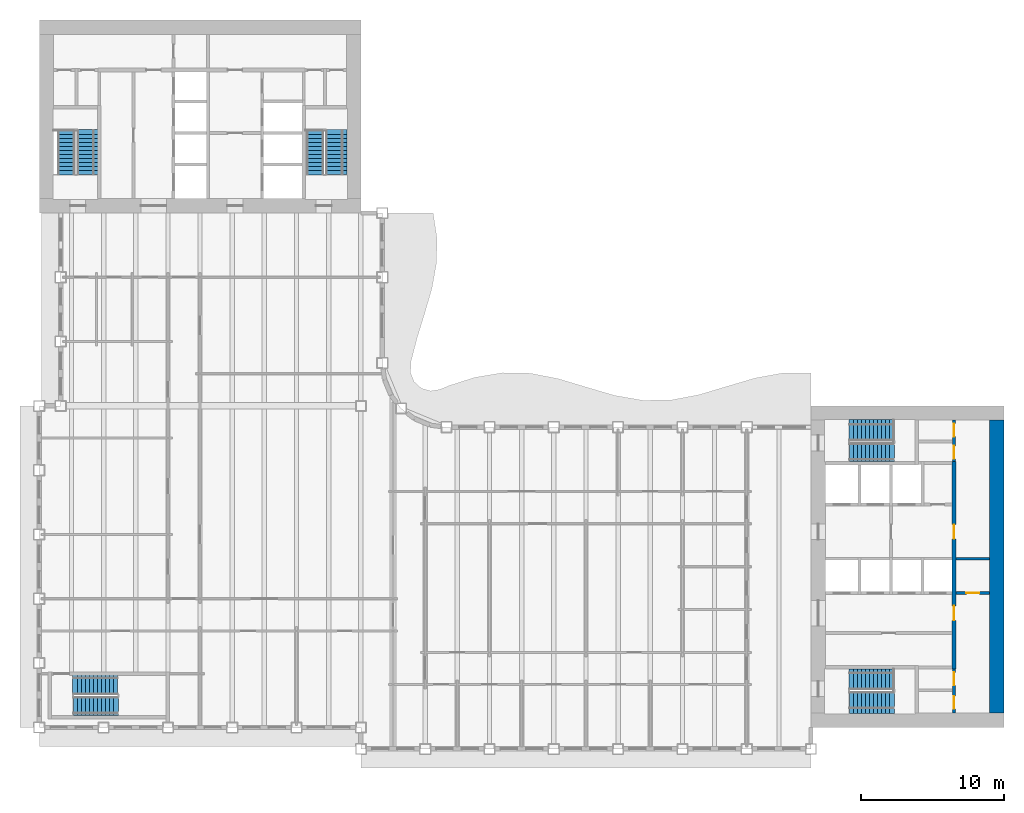
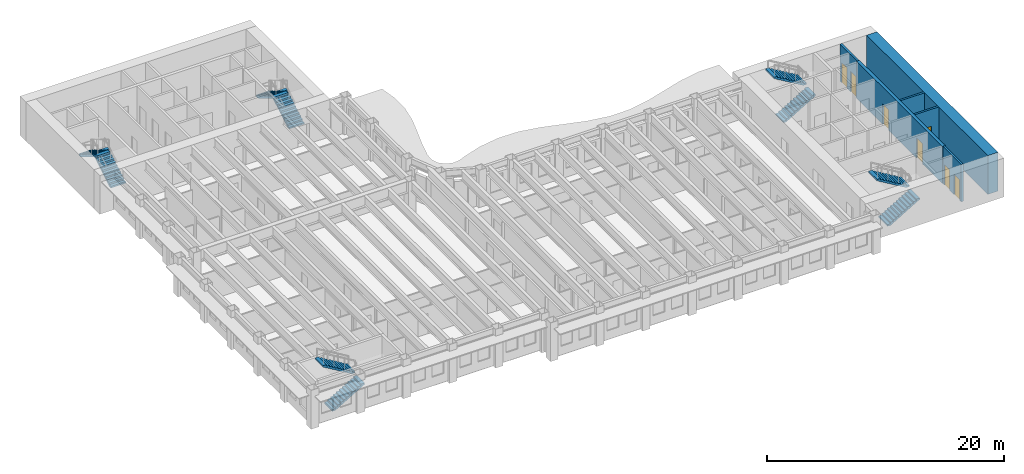
# One storey, part 10 of 16: 10 stair flights, 7 doors, 6 walls, 7 openings, 5 elements without a shape of their own.
"""IFC4 building model written with IfcOpenShell, lengths in metres."""

from ifc_helpers import new_model, si_unit, direction, frame, frame_2d, origin, place, context, subcontext, project, spatial, polyline, rectangle, outline, extrude, material, layer, layer_set, type_object, element, fill, aggregate, save


model = new_model("IFC4")

# Units and contexts
model_context = context("Model", 3, precision=1e-05, world=origin(), true_north=direction((0.0, 1.0)))
body_context = subcontext(model_context, "Body", "Model", "MODEL_VIEW")
ifc_project = project(units=[si_unit("LENGTHUNIT", "METRE"), si_unit("AREAUNIT", "SQUARE_METRE"), si_unit("VOLUMEUNIT", "CUBIC_METRE"), si_unit("PLANEANGLEUNIT", "RADIAN"), si_unit("MASSUNIT", "GRAM", prefix="KILO")], contexts=[model_context])

# Site, building, storey
site_placement = place(None, origin())
site = spatial("IfcSite", under=ifc_project, at=site_placement, CompositionType="ELEMENT")
building_placement = place(site_placement, origin())
building = spatial("IfcBuilding", under=site, at=building_placement, Name="Sennacour Bend Tower", CompositionType="ELEMENT")
storey_placement = place(building_placement, frame((0.0, 0.0, 223.0)))
storey = spatial("IfcBuildingStorey", under=building, at=storey_placement, Name="L51", CompositionType="ELEMENT", Elevation=223.0)

# Wall
ifc_material_1 = material(Name="Concrete C60/75", Category="concrete")
ifc_layer_1 = layer(ifc_material_1, 1.0, Name="Concrete C60/75", Category="concrete")
ifc_layer_set_1 = layer_set([ifc_layer_1], Name="Concrete C60/75")
wall_type_1 = type_object("IfcWallType", Name="Core wall 1000 C60/75", PredefinedType="SHEAR", material=ifc_layer_set_1)
wall_1_placement = place(storey_placement, frame((67.0, 1.0, -0.14990234375), z_axis=(0.0, 0.0, 1.0), x_axis=(0.0, 1.0, 0.0)))
element("IfcWall", 1, at=wall_1_placement, inside=storey, type_object=wall_type_1, Name="Core A wall L51 E", PredefinedType="SHEAR", context=body_context, shape_type="SweptSolid", body=[
    extrude(rectangle(XDim=20.5, YDim=1.0, at=frame_2d((10.25, 0.0))), origin(), (0.0, 0.0, 1.0), 4.0),
])

# Wall, openings, doors
ifc_material_2 = material(Name="Fire-rated plasterboard partition on steel studs", Category="steel")
ifc_layer_2 = layer(ifc_material_2, 0.199951171875, Name="Fire-rated plasterboard partition on steel studs", Category="steel")
ifc_layer_set_2 = layer_set([ifc_layer_2], Name="Fire-rated plasterboard partition on steel studs")
wall_type_2 = type_object("IfcWallType", Name="Rated partition 200", PredefinedType="PARTITIONING", material=ifc_layer_set_2)
wall_2_placement = place(storey_placement, frame((64.0, 1.0, 0.0), z_axis=(0.0, 0.0, 1.0), x_axis=(0.0, 1.0, 0.0)))
wall_2 = element("IfcWall", 2, at=wall_2_placement, inside=storey, type_object=wall_type_2, Name="P-L51-W048", PredefinedType="PARTITIONING", context=body_context, shape_type="SweptSolid", body=[
    extrude(rectangle(XDim=3.10009765625, YDim=0.199951171875, at=frame_2d((1.550048828125, 0.0))), origin(), (0.0, 0.0, 1.0), 3.85009765625),
])
opening_1_placement = place(wall_2_placement, frame((0.300048828125, 0.0, 0.0)))
opening_1 = element("IfcOpeningElement", 3, at=opening_1_placement, cuts=wall_2, Name="Opening SV", PredefinedType="OPENING", context=body_context, shape_type="SweptSolid", body=[
    extrude(rectangle(XDim=0.89990234375, YDim=2.10009765625, at=frame_2d((0.449951171875, 1.050048828125))), frame((0.0, 0.10986328125, 0.0), z_axis=(0.0, -1.0, 0.0), x_axis=(1.0, 0.0, 0.0)), (0.0, 0.0, 1.0), 0.219970703125),
])
opening_2_placement = place(wall_2_placement, frame((1.949951171875, 0.0, 0.0)))
opening_2 = element("IfcOpeningElement", 4, at=opening_2_placement, cuts=wall_2, Name="Opening WD", PredefinedType="OPENING", context=body_context, shape_type="SweptSolid", body=[
    extrude(rectangle(XDim=0.89990234375, YDim=2.10009765625, at=frame_2d((0.449951171875, 1.050048828125))), frame((0.0, 0.10986328125, 0.0), z_axis=(0.0, -1.0, 0.0), x_axis=(1.0, 0.0, 0.0)), (0.0, 0.0, 1.0), 0.219970703125),
])
ifc_material_3 = material(Name="Painted steel", Category="steel")
door_type_1 = type_object("IfcDoorType", Name="DR-SERVICE-900", OperationType="NOTDEFINED", PredefinedType="DOOR", material=ifc_material_3)
door_1_placement = place(opening_1_placement, origin())
door_1 = element("IfcDoor", 5, at=door_1_placement, inside=storey, type_object=door_type_1, Name="Door", OperationType="SINGLE_SWING_LEFT", OverallHeight=2.10009765625, OverallWidth=0.89990234375, PredefinedType="DOOR", context=body_context, shape_type="SweptSolid", body=[
    extrude(rectangle(XDim=0.89990234375, YDim=2.10009765625, at=frame_2d((0.449951171875, 1.050048828125))), frame((0.0, 0.02490234375, 0.0), z_axis=(0.0, -1.0, 0.0), x_axis=(1.0, 0.0, 0.0)), (0.0, 0.0, 1.0), 0.050048828125),
])
fill(opening_1, door_1)
ifc_material_4 = material(Name="Timber", Category="wood")
door_type_2 = type_object("IfcDoorType", Name="DR-WC-900", OperationType="NOTDEFINED", PredefinedType="DOOR", material=ifc_material_4)
door_2_placement = place(opening_2_placement, origin())
door_2 = element("IfcDoor", 6, at=door_2_placement, inside=storey, type_object=door_type_2, Name="Door", OperationType="SINGLE_SWING_RIGHT", OverallHeight=2.10009765625, OverallWidth=0.89990234375, PredefinedType="DOOR", context=body_context, shape_type="SweptSolid", body=[
    extrude(rectangle(XDim=0.89990234375, YDim=2.10009765625, at=frame_2d((0.449951171875, 1.050048828125))), frame((0.0, 0.02490234375, 0.0), z_axis=(0.0, -1.0, 0.0), x_axis=(1.0, 0.0, 0.0)), (0.0, 0.0, 1.0), 0.050048828125),
])
fill(opening_2, door_2)

wall_3_placement = place(storey_placement, frame((64.0, 18.60009765625, 0.0), z_axis=(0.0, 0.0, 1.0), x_axis=(0.0, 1.0, 0.0)))
wall_3 = element("IfcWall", 7, at=wall_3_placement, inside=storey, type_object=wall_type_2, Name="P-L51-W050", PredefinedType="PARTITIONING", context=body_context, shape_type="SweptSolid", body=[
    extrude(rectangle(XDim=2.89990234375, YDim=0.199951171875, at=frame_2d((1.449951171875, 0.0))), origin(), (0.0, 0.0, 1.0), 3.85009765625),
])
opening_3_placement = place(wall_3_placement, frame((0.199951171875, 0.0, 0.0)))
opening_3 = element("IfcOpeningElement", 8, at=opening_3_placement, cuts=wall_3, Name="Opening SV", PredefinedType="OPENING", context=body_context, shape_type="SweptSolid", body=[
    extrude(rectangle(XDim=0.89990234375, YDim=2.10009765625, at=frame_2d((0.449951171875, 1.050048828125))), frame((0.0, 0.10986328125, 0.0), z_axis=(0.0, -1.0, 0.0), x_axis=(1.0, 0.0, 0.0)), (0.0, 0.0, 1.0), 0.219970703125),
])
opening_4_placement = place(wall_3_placement, frame((1.75, 0.0, 0.0)))
opening_4 = element("IfcOpeningElement", 9, at=opening_4_placement, cuts=wall_3, Name="Opening SV", PredefinedType="OPENING", context=body_context, shape_type="SweptSolid", body=[
    extrude(rectangle(XDim=0.89990234375, YDim=2.10009765625, at=frame_2d((0.449951171875, 1.050048828125))), frame((0.0, 0.10986328125, 0.0), z_axis=(0.0, -1.0, 0.0), x_axis=(1.0, 0.0, 0.0)), (0.0, 0.0, 1.0), 0.219970703125),
])
door_3_placement = place(opening_3_placement, origin())
door_3 = element("IfcDoor", 10, at=door_3_placement, inside=storey, type_object=door_type_1, Name="Door", OperationType="SINGLE_SWING_LEFT", OverallHeight=2.10009765625, OverallWidth=0.89990234375, PredefinedType="DOOR", context=body_context, shape_type="SweptSolid", body=[
    extrude(rectangle(XDim=0.89990234375, YDim=2.10009765625, at=frame_2d((0.449951171875, 1.050048828125))), frame((0.0, 0.02490234375, 0.0), z_axis=(0.0, -1.0, 0.0), x_axis=(1.0, 0.0, 0.0)), (0.0, 0.0, 1.0), 0.050048828125),
])
fill(opening_3, door_3)
door_4_placement = place(opening_4_placement, origin())
door_4 = element("IfcDoor", 11, at=door_4_placement, inside=storey, type_object=door_type_1, Name="Door", OperationType="SINGLE_SWING_RIGHT", OverallHeight=2.10009765625, OverallWidth=0.89990234375, PredefinedType="DOOR", context=body_context, shape_type="SweptSolid", body=[
    extrude(rectangle(XDim=0.89990234375, YDim=2.10009765625, at=frame_2d((0.449951171875, 1.050048828125))), frame((0.0, 0.02490234375, 0.0), z_axis=(0.0, -1.0, 0.0), x_axis=(1.0, 0.0, 0.0)), (0.0, 0.0, 1.0), 0.050048828125),
])
fill(opening_4, door_4)

# Wall, opening, door
wall_4_placement = place(storey_placement, frame((64.14990234375, 9.39990234375, 0.0), z_axis=(0.0, 0.0, 1.0), x_axis=(1.0, 0.0, 0.0)))
wall_4 = element("IfcWall", 12, at=wall_4_placement, inside=storey, type_object=wall_type_2, Name="P-L51-W066", PredefinedType="PARTITIONING", context=body_context, shape_type="SweptSolid", body=[
    extrude(rectangle(XDim=2.35009765625, YDim=0.199951171875, at=frame_2d((1.175048828125, 0.0))), origin(), (0.0, 0.0, 1.0), 3.85009765625),
])
opening_5_placement = place(wall_4_placement, frame((0.72509765625, 0.0, 0.0)))
opening_5 = element("IfcOpeningElement", 13, at=opening_5_placement, cuts=wall_4, Name="Opening SV", PredefinedType="OPENING", context=body_context, shape_type="SweptSolid", body=[
    extrude(rectangle(XDim=0.89990234375, YDim=2.10009765625, at=frame_2d((0.449951171875, 1.050048828125))), frame((0.0, 0.10986328125, 0.0), z_axis=(0.0, -1.0, 0.0), x_axis=(1.0, 0.0, 0.0)), (0.0, 0.0, 1.0), 0.219970703125),
])
door_5_placement = place(opening_5_placement, origin())
door_5 = element("IfcDoor", 14, at=door_5_placement, inside=storey, type_object=door_type_1, Name="Door", OperationType="SINGLE_SWING_LEFT", OverallHeight=2.10009765625, OverallWidth=0.89990234375, PredefinedType="DOOR", context=body_context, shape_type="SweptSolid", body=[
    extrude(rectangle(XDim=0.89990234375, YDim=2.10009765625, at=frame_2d((0.449951171875, 1.050048828125))), frame((0.0, 0.02490234375, 0.0), z_axis=(0.0, -1.0, 0.0), x_axis=(1.0, 0.0, 0.0)), (0.0, 0.0, 1.0), 0.050048828125),
])
fill(opening_5, door_5)

# Wall
wall_5_placement = place(storey_placement, frame((64.14990234375, 11.800048828125, 0.0), z_axis=(0.0, 0.0, 1.0), x_axis=(1.0, 0.0, 0.0)))
element("IfcWall", 15, at=wall_5_placement, inside=storey, type_object=wall_type_2, Name="P-L51-W069", PredefinedType="PARTITIONING", context=body_context, shape_type="SweptSolid", body=[
    extrude(rectangle(XDim=2.35009765625, YDim=0.199951171875, at=frame_2d((1.175048828125, 0.0))), origin(), (0.0, 0.0, 1.0), 3.85009765625),
])

# Wall, openings, doors
ifc_layer_3 = layer(ifc_material_1, 0.300048828125, Name="Concrete C60/75", Category="concrete")
ifc_layer_set_3 = layer_set([ifc_layer_3], Name="Concrete C60/75")
wall_type_3 = type_object("IfcWallType", Name="Spine wall 300", PredefinedType="SHEAR", material=ifc_layer_set_3)
wall_6_placement = place(storey_placement, frame((64.0, 4.10009765625, 0.0), z_axis=(0.0, 0.0, 1.0), x_axis=(0.0, 1.0, 0.0)))
wall_6 = element("IfcWall", 16, at=wall_6_placement, inside=storey, type_object=wall_type_3, Name="P-L51-W049", PredefinedType="SHEAR", context=body_context, shape_type="SweptSolid", body=[
    extrude(rectangle(XDim=14.5, YDim=0.300048828125, at=frame_2d((7.25, 0.0))), origin(), (0.0, 0.0, 1.0), 3.85009765625),
])
opening_6_placement = place(wall_6_placement, frame((3.39990234375, 0.0, 0.0)))
opening_6 = element("IfcOpeningElement", 17, at=opening_6_placement, cuts=wall_6, Name="Opening CD2", PredefinedType="OPENING", context=body_context, shape_type="SweptSolid", body=[
    extrude(rectangle(XDim=1.0, YDim=2.10009765625, at=frame_2d((0.5, 1.050048828125))), frame((0.0, 0.16015625, 0.0), z_axis=(0.0, -1.0, 0.0), x_axis=(1.0, 0.0, 0.0)), (0.0, 0.0, 1.0), 0.320068359375),
])
opening_7_placement = place(wall_6_placement, frame((9.099853515625, 0.0, 0.0)))
opening_7 = element("IfcOpeningElement", 18, at=opening_7_placement, cuts=wall_6, Name="Opening CD2", PredefinedType="OPENING", context=body_context, shape_type="SweptSolid", body=[
    extrude(rectangle(XDim=1.0, YDim=2.10009765625, at=frame_2d((0.5, 1.050048828125))), frame((0.0, 0.16015625, 0.0), z_axis=(0.0, -1.0, 0.0), x_axis=(1.0, 0.0, 0.0)), (0.0, 0.0, 1.0), 0.320068359375),
])
door_type_3 = type_object("IfcDoorType", Name="DR-LOBBY-1000", OperationType="NOTDEFINED", PredefinedType="DOOR", material=ifc_material_3)
door_6_placement = place(opening_6_placement, origin())
door_6 = element("IfcDoor", 19, at=door_6_placement, inside=storey, type_object=door_type_3, Name="Door", OperationType="SINGLE_SWING_LEFT", OverallHeight=2.10009765625, OverallWidth=1.0, PredefinedType="DOOR", context=body_context, shape_type="SweptSolid", body=[
    extrude(rectangle(XDim=1.0, YDim=2.10009765625, at=frame_2d((0.5, 1.050048828125))), frame((0.0, 0.02490234375, 0.0), z_axis=(0.0, -1.0, 0.0), x_axis=(1.0, 0.0, 0.0)), (0.0, 0.0, 1.0), 0.050048828125),
])
fill(opening_6, door_6)
door_7_placement = place(opening_7_placement, origin())
door_7 = element("IfcDoor", 20, at=door_7_placement, inside=storey, type_object=door_type_3, Name="Door", OperationType="SINGLE_SWING_RIGHT", OverallHeight=2.10009765625, OverallWidth=1.0, PredefinedType="DOOR", context=body_context, shape_type="SweptSolid", body=[
    extrude(rectangle(XDim=1.0, YDim=2.10009765625, at=frame_2d((0.5, 1.050048828125))), frame((0.0, 0.02490234375, 0.0), z_axis=(0.0, -1.0, 0.0), x_axis=(1.0, 0.0, 0.0)), (0.0, 0.0, 1.0), 0.050048828125),
])
fill(opening_7, door_7)

# Stair, stair flights
ifc_material_5 = material(Name="Concrete C40/50", Category="concrete")
stair_type = type_object("IfcStairType", Name="ST-DOGLEG", PredefinedType="HALF_TURN_STAIR", material=ifc_material_5)
stair_1_placement = place(storey_placement, origin())
stair_1 = element("IfcStair", 21, at=stair_1_placement, inside=storey, type_object=stair_type, Name="L51 Exit stair A1", PredefinedType="HALF_TURN_STAIR")
stair_flight_type = type_object("IfcStairFlightType", Name="SFL-RC", PredefinedType="STRAIGHT", material=ifc_material_5)
stair_flight_1_placement = place(storey_placement, frame((56.699951171875, 1.735107421875, 0.0), z_axis=(0.0, 0.0, 1.0), x_axis=(1.0, 0.0, 0.0)))
stair_flight_1 = element("IfcStairFlight", 22, at=stair_flight_1_placement, type_object=stair_flight_type, Name="SA1 flight 1", NumberOfRisers=12, NumberOfTreads=11, PredefinedType="STRAIGHT", RiserHeight=0.166666667, TreadLength=0.28, context=body_context, shape_type="SweptSolid", body=[
    extrude(outline(polyline([(0.0, 0.0), (0.0, 0.166748046875), (0.280029296875, 0.166748046875), (0.280029296875, 0.333251953125), (0.56005859375, 0.333251953125), (0.56005859375, 0.5), (0.840087890625, 0.5), (0.840087890625, 0.666748046875), (1.1201171875, 0.666748046875), (1.1201171875, 0.833251953125), (1.39990234375, 0.833251953125), (1.39990234375, 1.0), (1.679931640625, 1.0), (1.679931640625, 1.166748046875), (1.9599609375, 1.166748046875), (1.9599609375, 1.333251953125), (2.239990234375, 1.333251953125), (2.239990234375, 1.5), (2.52001953125, 1.5), (2.52001953125, 1.666748046875), (2.800048828125, 1.666748046875), (2.800048828125, 1.833251953125), (3.080078125, 1.833251953125), (3.139892578125, 1.833251953125), (3.139892578125, 1.658935546875), (3.080078125, 1.658935546875), (0.29296875, 0.0), (0.0, 0.0)])), frame((0.0, 0.76513671875, 0.0), z_axis=(0.0, -1.0, 0.0), x_axis=(1.0, 0.0, 0.0)), (0.0, 0.0, 1.0), 1.530029296875),
])
stair_flight_2_placement = place(storey_placement, frame((59.780029296875, 3.37744140625, 2.0), z_axis=(0.0, 0.0, 1.0), x_axis=(-1.0, 0.0, 0.0)))
stair_flight_2 = element("IfcStairFlight", 23, at=stair_flight_2_placement, type_object=stair_flight_type, Name="SA1 flight 2", NumberOfRisers=12, NumberOfTreads=11, PredefinedType="STRAIGHT", RiserHeight=0.166666667, TreadLength=0.28, context=body_context, shape_type="SweptSolid", body=[
    extrude(outline(polyline([(0.0, 0.0), (0.0, 0.166748046875), (0.280029296875, 0.166748046875), (0.280029296875, 0.333251953125), (0.56005859375, 0.333251953125), (0.56005859375, 0.5), (0.840087890625, 0.5), (0.840087890625, 0.666748046875), (1.1201171875, 0.666748046875), (1.1201171875, 0.833251953125), (1.39990234375, 0.833251953125), (1.39990234375, 1.0), (1.679931640625, 1.0), (1.679931640625, 1.166748046875), (1.9599609375, 1.166748046875), (1.9599609375, 1.333251953125), (2.239990234375, 1.333251953125), (2.239990234375, 1.5), (2.52001953125, 1.5), (2.52001953125, 1.666748046875), (2.800048828125, 1.666748046875), (2.800048828125, 1.833251953125), (3.080078125, 1.833251953125), (3.139892578125, 1.833251953125), (3.139892578125, 1.658935546875), (3.080078125, 1.658935546875), (0.29296875, 0.0), (0.0, 0.0)])), frame((0.0, 0.7275390625, 0.0), z_axis=(0.0, -1.0, 0.0), x_axis=(1.0, 0.0, 0.0)), (0.0, 0.0, 1.0), 1.455078125),
])
aggregate(stair_1, [stair_flight_1, stair_flight_2])

stair_2_placement = place(storey_placement, origin())
stair_2 = element("IfcStair", 24, at=stair_2_placement, inside=storey, type_object=stair_type, Name="L51 Exit stair A2", PredefinedType="HALF_TURN_STAIR")
stair_flight_3_placement = place(storey_placement, frame((56.699951171875, 19.24755859375, 0.0), z_axis=(0.0, 0.0, 1.0), x_axis=(1.0, 0.0, 0.0)))
stair_flight_3 = element("IfcStairFlight", 25, at=stair_flight_3_placement, type_object=stair_flight_type, Name="SA2 flight 1", NumberOfRisers=12, NumberOfTreads=11, PredefinedType="STRAIGHT", RiserHeight=0.166666667, TreadLength=0.28, context=body_context, shape_type="SweptSolid", body=[
    extrude(outline(polyline([(0.0, 0.0), (0.0, 0.166748046875), (0.280029296875, 0.166748046875), (0.280029296875, 0.333251953125), (0.56005859375, 0.333251953125), (0.56005859375, 0.5), (0.840087890625, 0.5), (0.840087890625, 0.666748046875), (1.1201171875, 0.666748046875), (1.1201171875, 0.833251953125), (1.39990234375, 0.833251953125), (1.39990234375, 1.0), (1.679931640625, 1.0), (1.679931640625, 1.166748046875), (1.9599609375, 1.166748046875), (1.9599609375, 1.333251953125), (2.239990234375, 1.333251953125), (2.239990234375, 1.5), (2.52001953125, 1.5), (2.52001953125, 1.666748046875), (2.800048828125, 1.666748046875), (2.800048828125, 1.833251953125), (3.080078125, 1.833251953125), (3.139892578125, 1.833251953125), (3.139892578125, 1.658935546875), (3.080078125, 1.658935546875), (0.29296875, 0.0), (0.0, 0.0)])), frame((0.0, 0.65234375, 0.0), z_axis=(0.0, -1.0, 0.0), x_axis=(1.0, 0.0, 0.0)), (0.0, 0.0, 1.0), 1.304931640625),
])
stair_flight_4_placement = place(storey_placement, frame((59.780029296875, 20.7900390625, 2.0), z_axis=(0.0, 0.0, 1.0), x_axis=(-1.0, 0.0, 0.0)))
stair_flight_4 = element("IfcStairFlight", 26, at=stair_flight_4_placement, type_object=stair_flight_type, Name="SA2 flight 2", NumberOfRisers=12, NumberOfTreads=11, PredefinedType="STRAIGHT", RiserHeight=0.166666667, TreadLength=0.28, context=body_context, shape_type="SweptSolid", body=[
    extrude(outline(polyline([(0.0, 0.0), (0.0, 0.166748046875), (0.280029296875, 0.166748046875), (0.280029296875, 0.333251953125), (0.56005859375, 0.333251953125), (0.56005859375, 0.5), (0.840087890625, 0.5), (0.840087890625, 0.666748046875), (1.1201171875, 0.666748046875), (1.1201171875, 0.833251953125), (1.39990234375, 0.833251953125), (1.39990234375, 1.0), (1.679931640625, 1.0), (1.679931640625, 1.166748046875), (1.9599609375, 1.166748046875), (1.9599609375, 1.333251953125), (2.239990234375, 1.333251953125), (2.239990234375, 1.5), (2.52001953125, 1.5), (2.52001953125, 1.666748046875), (2.800048828125, 1.666748046875), (2.800048828125, 1.833251953125), (3.080078125, 1.833251953125), (3.139892578125, 1.833251953125), (3.139892578125, 1.658935546875), (3.080078125, 1.658935546875), (0.29296875, 0.0), (0.0, 0.0)])), frame((0.0, 0.739990234375, 0.0), z_axis=(0.0, -1.0, 0.0), x_axis=(1.0, 0.0, 0.0)), (0.0, 0.0, 1.0), 1.47998046875),
])
aggregate(stair_2, [stair_flight_3, stair_flight_4])

stair_3_placement = place(storey_placement, origin())
stair_3 = element("IfcStair", 27, at=stair_3_placement, inside=storey, type_object=stair_type, Name="L51 Exit stair B1", PredefinedType="HALF_TURN_STAIR")
stair_flight_5_placement = place(storey_placement, frame((3.37744140625, 38.699951171875, 0.0), z_axis=(0.0, 0.0, 1.0), x_axis=(0.0, 1.0, 0.0)))
stair_flight_5 = element("IfcStairFlight", 28, at=stair_flight_5_placement, type_object=stair_flight_type, Name="SB1 flight 1", NumberOfRisers=12, NumberOfTreads=11, PredefinedType="STRAIGHT", RiserHeight=0.166666667, TreadLength=0.28, context=body_context, shape_type="SweptSolid", body=[
    extrude(outline(polyline([(0.0, 0.0), (0.0, 0.166748046875), (0.280029296875, 0.166748046875), (0.280029296875, 0.333251953125), (0.56005859375, 0.333251953125), (0.56005859375, 0.5), (0.840087890625, 0.5), (0.840087890625, 0.666748046875), (1.1201171875, 0.666748046875), (1.1201171875, 0.833251953125), (1.39990234375, 0.833251953125), (1.39990234375, 1.0), (1.679931640625, 1.0), (1.679931640625, 1.166748046875), (1.9599609375, 1.166748046875), (1.9599609375, 1.333251953125), (2.239990234375, 1.333251953125), (2.239990234375, 1.5), (2.52001953125, 1.5), (2.52001953125, 1.666748046875), (2.800048828125, 1.666748046875), (2.800048828125, 1.833251953125), (3.080078125, 1.833251953125), (3.139892578125, 1.833251953125), (3.139892578125, 1.658935546875), (3.080078125, 1.658935546875), (0.29296875, 0.0), (0.0, 0.0)])), frame((0.0, 0.7275390625, 0.0), z_axis=(0.0, -1.0, 0.0), x_axis=(1.0, 0.0, 0.0)), (0.0, 0.0, 1.0), 1.455078125),
])
stair_flight_6_placement = place(storey_placement, frame((1.89990234375, 41.780029296875, 2.0), z_axis=(0.0, 0.0, 1.0), x_axis=(0.0, -1.0, 0.0)))
stair_flight_6 = element("IfcStairFlight", 29, at=stair_flight_6_placement, type_object=stair_flight_type, Name="SB1 flight 2", NumberOfRisers=12, NumberOfTreads=11, PredefinedType="STRAIGHT", RiserHeight=0.166666667, TreadLength=0.28, context=body_context, shape_type="SweptSolid", body=[
    extrude(outline(polyline([(0.0, 0.0), (0.0, 0.166748046875), (0.280029296875, 0.166748046875), (0.280029296875, 0.333251953125), (0.56005859375, 0.333251953125), (0.56005859375, 0.5), (0.840087890625, 0.5), (0.840087890625, 0.666748046875), (1.1201171875, 0.666748046875), (1.1201171875, 0.833251953125), (1.39990234375, 0.833251953125), (1.39990234375, 1.0), (1.679931640625, 1.0), (1.679931640625, 1.166748046875), (1.9599609375, 1.166748046875), (1.9599609375, 1.333251953125), (2.239990234375, 1.333251953125), (2.239990234375, 1.5), (2.52001953125, 1.5), (2.52001953125, 1.666748046875), (2.800048828125, 1.666748046875), (2.800048828125, 1.833251953125), (3.080078125, 1.833251953125), (3.139892578125, 1.833251953125), (3.139892578125, 1.658935546875), (3.080078125, 1.658935546875), (0.29296875, 0.0), (0.0, 0.0)])), frame((0.0, 0.60009765625, 0.0), z_axis=(0.0, -1.0, 0.0), x_axis=(1.0, 0.0, 0.0)), (0.0, 0.0, 1.0), 1.199951171875),
])
aggregate(stair_3, [stair_flight_5, stair_flight_6])

stair_4_placement = place(storey_placement, origin())
stair_4 = element("IfcStair", 30, at=stair_4_placement, inside=storey, type_object=stair_type, Name="L51 Exit stair B2", PredefinedType="HALF_TURN_STAIR")
stair_flight_7_placement = place(storey_placement, frame((20.7900390625, 38.699951171875, 0.0), z_axis=(0.0, 0.0, 1.0), x_axis=(0.0, 1.0, 0.0)))
stair_flight_7 = element("IfcStairFlight", 31, at=stair_flight_7_placement, type_object=stair_flight_type, Name="SB2 flight 1", NumberOfRisers=12, NumberOfTreads=11, PredefinedType="STRAIGHT", RiserHeight=0.166666667, TreadLength=0.28, context=body_context, shape_type="SweptSolid", body=[
    extrude(outline(polyline([(0.0, 0.0), (0.0, 0.166748046875), (0.280029296875, 0.166748046875), (0.280029296875, 0.333251953125), (0.56005859375, 0.333251953125), (0.56005859375, 0.5), (0.840087890625, 0.5), (0.840087890625, 0.666748046875), (1.1201171875, 0.666748046875), (1.1201171875, 0.833251953125), (1.39990234375, 0.833251953125), (1.39990234375, 1.0), (1.679931640625, 1.0), (1.679931640625, 1.166748046875), (1.9599609375, 1.166748046875), (1.9599609375, 1.333251953125), (2.239990234375, 1.333251953125), (2.239990234375, 1.5), (2.52001953125, 1.5), (2.52001953125, 1.666748046875), (2.800048828125, 1.666748046875), (2.800048828125, 1.833251953125), (3.080078125, 1.833251953125), (3.139892578125, 1.833251953125), (3.139892578125, 1.658935546875), (3.080078125, 1.658935546875), (0.29296875, 0.0), (0.0, 0.0)])), frame((0.0, 0.739990234375, 0.0), z_axis=(0.0, -1.0, 0.0), x_axis=(1.0, 0.0, 0.0)), (0.0, 0.0, 1.0), 1.47998046875),
])
stair_flight_8_placement = place(storey_placement, frame((19.24755859375, 41.780029296875, 2.0), z_axis=(0.0, 0.0, 1.0), x_axis=(0.0, -1.0, 0.0)))
stair_flight_8 = element("IfcStairFlight", 32, at=stair_flight_8_placement, type_object=stair_flight_type, Name="SB2 flight 2", NumberOfRisers=12, NumberOfTreads=11, PredefinedType="STRAIGHT", RiserHeight=0.166666667, TreadLength=0.28, context=body_context, shape_type="SweptSolid", body=[
    extrude(outline(polyline([(0.0, 0.0), (0.0, 0.166748046875), (0.280029296875, 0.166748046875), (0.280029296875, 0.333251953125), (0.56005859375, 0.333251953125), (0.56005859375, 0.5), (0.840087890625, 0.5), (0.840087890625, 0.666748046875), (1.1201171875, 0.666748046875), (1.1201171875, 0.833251953125), (1.39990234375, 0.833251953125), (1.39990234375, 1.0), (1.679931640625, 1.0), (1.679931640625, 1.166748046875), (1.9599609375, 1.166748046875), (1.9599609375, 1.333251953125), (2.239990234375, 1.333251953125), (2.239990234375, 1.5), (2.52001953125, 1.5), (2.52001953125, 1.666748046875), (2.800048828125, 1.666748046875), (2.800048828125, 1.833251953125), (3.080078125, 1.833251953125), (3.139892578125, 1.833251953125), (3.139892578125, 1.658935546875), (3.080078125, 1.658935546875), (0.29296875, 0.0), (0.0, 0.0)])), frame((0.0, 0.65234375, 0.0), z_axis=(0.0, -1.0, 0.0), x_axis=(1.0, 0.0, 0.0)), (0.0, 0.0, 1.0), 1.304931640625),
])
aggregate(stair_4, [stair_flight_7, stair_flight_8])

stair_5_placement = place(storey_placement, origin())
stair_5 = element("IfcStair", 33, at=stair_5_placement, inside=storey, type_object=stair_type, Name="L51 Exit stair K1", PredefinedType="HALF_TURN_STAIR")
stair_flight_9_placement = place(storey_placement, frame((2.39990234375, 1.485107421875, 0.0), z_axis=(0.0, 0.0, 1.0), x_axis=(1.0, 0.0, 0.0)))
stair_flight_9 = element("IfcStairFlight", 34, at=stair_flight_9_placement, type_object=stair_flight_type, Name="SK1 flight 1", NumberOfRisers=12, NumberOfTreads=11, PredefinedType="STRAIGHT", RiserHeight=0.166666667, TreadLength=0.28, context=body_context, shape_type="SweptSolid", body=[
    extrude(outline(polyline([(0.0, 0.0), (0.0, 0.166748046875), (0.280029296875, 0.166748046875), (0.280029296875, 0.333251953125), (0.56005859375, 0.333251953125), (0.56005859375, 0.5), (0.840087890625, 0.5), (0.840087890625, 0.666748046875), (1.1201171875, 0.666748046875), (1.1201171875, 0.833251953125), (1.39990234375, 0.833251953125), (1.39990234375, 1.0), (1.679931640625, 1.0), (1.679931640625, 1.166748046875), (1.9599609375, 1.166748046875), (1.9599609375, 1.333251953125), (2.239990234375, 1.333251953125), (2.239990234375, 1.5), (2.52001953125, 1.5), (2.52001953125, 1.666748046875), (2.800048828125, 1.666748046875), (2.800048828125, 1.833251953125), (3.080078125, 1.833251953125), (3.139892578125, 1.833251953125), (3.139892578125, 1.658935546875), (3.080078125, 1.658935546875), (0.29296875, 0.0), (0.0, 0.0)])), frame((0.0, 0.6650390625, 0.0), z_axis=(0.0, -1.0, 0.0), x_axis=(1.0, 0.0, 0.0)), (0.0, 0.0, 1.0), 1.330078125),
])
stair_flight_10_placement = place(storey_placement, frame((5.47998046875, 2.9775390625, 2.0), z_axis=(0.0, 0.0, 1.0), x_axis=(-1.0, 0.0, 0.0)))
stair_flight_10 = element("IfcStairFlight", 35, at=stair_flight_10_placement, type_object=stair_flight_type, Name="SK1 flight 2", NumberOfRisers=12, NumberOfTreads=11, PredefinedType="STRAIGHT", RiserHeight=0.166666667, TreadLength=0.28, context=body_context, shape_type="SweptSolid", body=[
    extrude(outline(polyline([(0.0, 0.0), (0.0, 0.166748046875), (0.280029296875, 0.166748046875), (0.280029296875, 0.333251953125), (0.56005859375, 0.333251953125), (0.56005859375, 0.5), (0.840087890625, 0.5), (0.840087890625, 0.666748046875), (1.1201171875, 0.666748046875), (1.1201171875, 0.833251953125), (1.39990234375, 0.833251953125), (1.39990234375, 1.0), (1.679931640625, 1.0), (1.679931640625, 1.166748046875), (1.9599609375, 1.166748046875), (1.9599609375, 1.333251953125), (2.239990234375, 1.333251953125), (2.239990234375, 1.5), (2.52001953125, 1.5), (2.52001953125, 1.666748046875), (2.800048828125, 1.666748046875), (2.800048828125, 1.833251953125), (3.080078125, 1.833251953125), (3.139892578125, 1.833251953125), (3.139892578125, 1.658935546875), (3.080078125, 1.658935546875), (0.29296875, 0.0), (0.0, 0.0)])), frame((0.0, 0.677490234375, 0.0), z_axis=(0.0, -1.0, 0.0), x_axis=(1.0, 0.0, 0.0)), (0.0, 0.0, 1.0), 1.35498046875),
])
aggregate(stair_5, [stair_flight_9, stair_flight_10])

save(model, "model.ifc")
